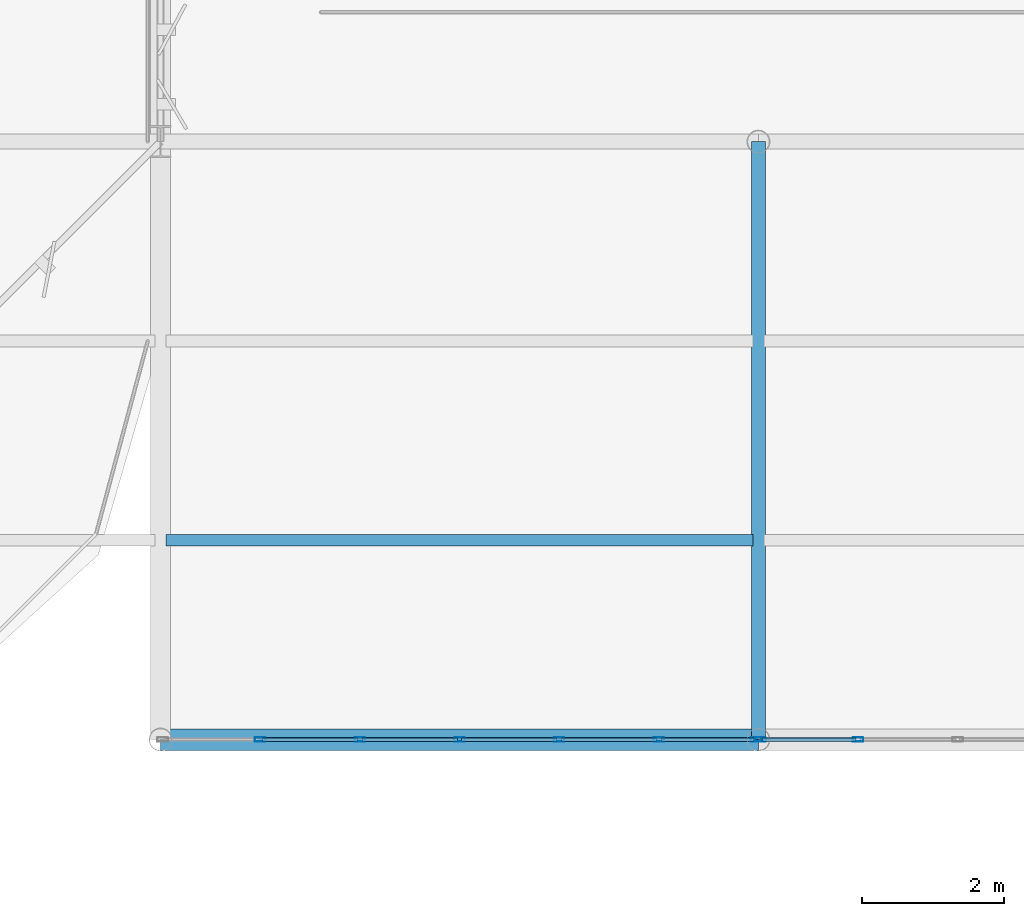
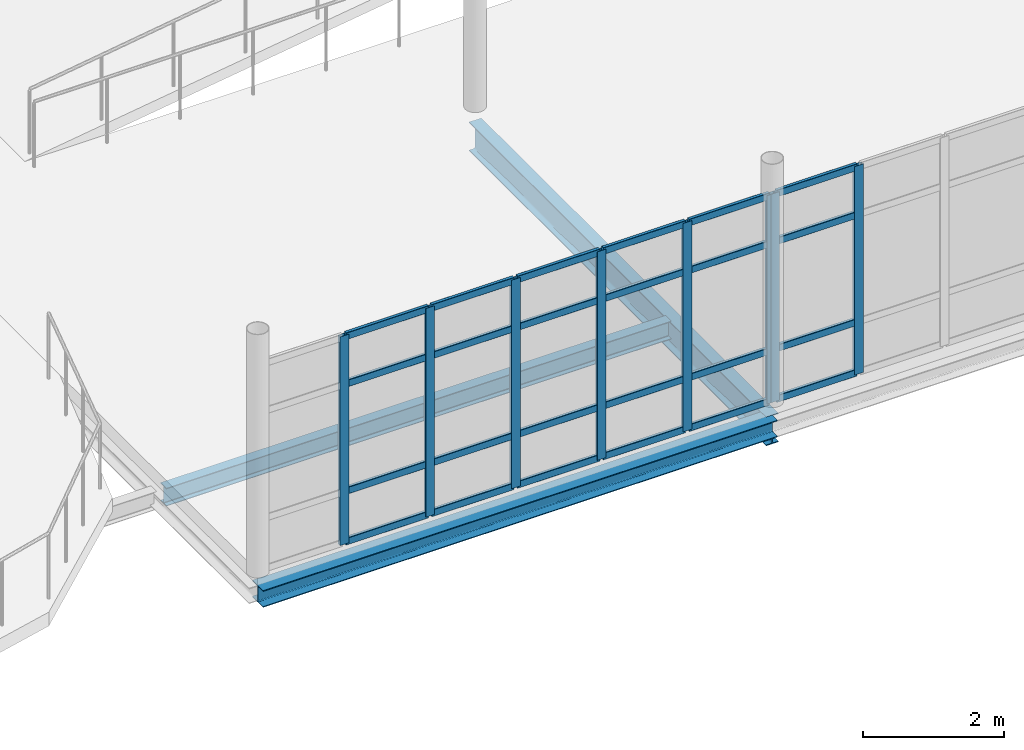
# One storey, part 32 of 69: 32 members, 3 beams, 2 elements without a shape of their own.
"""IFC4 building model written with IfcOpenShell, lengths in metres."""

from ifc_helpers import new_model, si_unit, direction, frame, origin, origin_2d, place, context, subcontext, project, spatial, hollow_rectangle, i_section, extrude, material, layer, layer_set, material_profile, profile_set, type_object, element, aggregate, save


model = new_model("IFC4")

# Units and contexts
model_context = context("Model", 3, precision=1e-05, world=origin(), true_north=direction((0.0, 1.0)))
body_context = subcontext(model_context, "Body", "Model", "MODEL_VIEW")
ifc_project = project(units=[si_unit("LENGTHUNIT", "METRE"), si_unit("AREAUNIT", "SQUARE_METRE"), si_unit("VOLUMEUNIT", "CUBIC_METRE"), si_unit("PLANEANGLEUNIT", "RADIAN"), si_unit("MASSUNIT", "GRAM", prefix="KILO")], contexts=[model_context])

# Site, building, storey
site_placement = place(None, origin())
site = spatial("IfcSite", under=ifc_project, at=site_placement, CompositionType="ELEMENT")
building_placement = place(site_placement, origin())
building = spatial("IfcBuilding", under=site, at=building_placement, Name="Qalvenar Corner Mobility Hub", CompositionType="ELEMENT")
storey_placement = place(building_placement, frame((0.0, 0.0, 13.199951171875)))
storey = spatial("IfcBuildingStorey", under=building, at=storey_placement, Name="L03", CompositionType="ELEMENT", Elevation=13.199951171875)

# Beams
ifc_material_1 = material(Name="Steel S355", Category="steel")
ifc_material_profile_1 = material_profile(ifc_material_1, i_section(OverallWidth=0.199951171875, OverallDepth=0.5, WebThickness=0.01025390625, FlangeThickness=0.01611328125, FilletRadius=0.02099609375, at=origin_2d()), Name="IPE500")
ifc_profile_set_1 = profile_set([ifc_material_profile_1], Name="Steel S355")
beam_type_1 = type_object("IfcBeamType", Name="BM-IPE500", PredefinedType="BEAM", material=ifc_profile_set_1)
beam_1_placement = place(storey_placement, frame((151.199951171875, 67.199951171875, -0.489990234375), z_axis=(0.0, 1.0, 0.0), x_axis=(-1.0, 0.0, 0.0)))
element("IfcBeam", 1, at=beam_1_placement, inside=storey, type_object=beam_type_1, Name="Primary Steel Girder GY-2553", PredefinedType="BEAM", context=body_context, shape_type="SweptSolid", body=[
    extrude(i_section(OverallWidth=0.199951171875, OverallDepth=0.5, WebThickness=0.01025390625, FlangeThickness=0.01611328125, FilletRadius=0.02099609375, at=origin_2d()), origin(), (0.0, 0.0, 1.0), 8.400146484375),
])
ifc_material_profile_2 = material_profile(ifc_material_1, i_section(OverallWidth=0.1650390625, OverallDepth=0.31005859375, WebThickness=0.005859375, FlangeThickness=0.009765625, FilletRadius=0.011962890625, at=origin_2d()), Name="W310x38.7")
ifc_profile_set_2 = profile_set([ifc_material_profile_2], Name="Steel S355")
beam_type_2 = type_object("IfcBeamType", Name="BM-JST310", PredefinedType="JOIST", material=ifc_profile_set_2)
beam_2_placement = place(storey_placement, frame((142.8779296875, 70.0, -0.39501953125), z_axis=(1.0, 0.0, 0.0), x_axis=(0.0, 1.0, 0.0)))
element("IfcBeam", 2, at=beam_2_placement, inside=storey, type_object=beam_type_2, Name="Composite Floor Joist J-2571", PredefinedType="JOIST", context=body_context, shape_type="SweptSolid", body=[
    extrude(i_section(OverallWidth=0.1650390625, OverallDepth=0.31005859375, WebThickness=0.005859375, FlangeThickness=0.009765625, FilletRadius=0.011962890625, at=origin_2d()), origin(), (0.0, 0.0, 1.0), 8.244140625),
])
ifc_material_profile_3 = material_profile(ifc_material_1, i_section(OverallWidth=0.300048828125, OverallDepth=0.2900390625, WebThickness=0.008544921875, FlangeThickness=0.013916015625, FilletRadius=0.027099609375, at=origin_2d()), Name="HEA300")
ifc_profile_set_3 = profile_set([ifc_material_profile_3], Name="Steel S355")
beam_type_3 = type_object("IfcBeamType", Name="BM-SPN300", PredefinedType="SPANDREL", material=ifc_profile_set_3)
beam_3_placement = place(storey_placement, frame((142.800048828125, 67.199951171875, -0.385009765625), z_axis=(1.0, 0.0, 0.0), x_axis=(0.0, 1.0, 0.0)))
element("IfcBeam", 3, at=beam_3_placement, inside=storey, type_object=beam_type_3, Name="Primary Steel Girder GX-2535", PredefinedType="SPANDREL", context=body_context, shape_type="SweptSolid", body=[
    extrude(i_section(OverallWidth=0.300048828125, OverallDepth=0.2900390625, WebThickness=0.008544921875, FlangeThickness=0.013916015625, FilletRadius=0.027099609375, at=origin_2d()), origin(), (0.0, 0.0, 1.0), 8.39990234375),
])

# Curtain wall, members
ifc_material_2 = material(Name="Anodised Aluminium and Low-E Glazing", Category="aluminium")
ifc_layer = layer(ifc_material_2, 0.1201171875)
ifc_layer_set = layer_set([ifc_layer], Name="Anodised Aluminium and Low-E Glazing")
curtain_wall_type = type_object("IfcCurtainWallType", Name="CW-STR-42X40", PredefinedType="NOTDEFINED", material=ifc_layer_set)
curtain_wall_1_placement = place(storey_placement, origin())
curtain_wall_1 = element("IfcCurtainWall", 4, at=curtain_wall_1_placement, inside=storey, type_object=curtain_wall_type, Name="Glazed Curtain Wall CW-V2-L03-S0", PredefinedType="NOTDEFINED")
ifc_material_3 = material(Name="Anodised Aluminium 6063-T6", Category="aluminium")
ifc_material_profile_4 = material_profile(ifc_material_3, hollow_rectangle(XDim=0.06005859375, YDim=0.14990234375, WallThickness=0.00390625, InnerFilletRadius=0.00390625, OuterFilletRadius=0.008056640625, at=origin_2d()), Name="RHS150x60x4")
ifc_profile_set_4 = profile_set([ifc_material_profile_4], Name="Anodised Aluminium 6063-T6")
member_type_1 = type_object("IfcMemberType", Name="CW-MUL150", PredefinedType="MULLION", material=ifc_profile_set_4)
member_1_placement = place(storey_placement, frame((144.199951171875, 67.199951171875, 0.0), z_axis=(0.0, 0.0, 1.0), x_axis=(0.0, 1.0, 0.0)))
member_1 = element("IfcMember", 5, at=member_1_placement, type_object=member_type_1, Name="CW-10 mullion 2", PredefinedType="MULLION", context=body_context, shape_type="SweptSolid", body=[
    extrude(hollow_rectangle(XDim=0.06005859375, YDim=0.14990234375, WallThickness=0.00390625, InnerFilletRadius=0.00390625, OuterFilletRadius=0.008056640625, at=origin_2d()), origin(), (0.0, 0.0, 1.0), 3.60009765625),
])
member_2_placement = place(storey_placement, frame((145.60009765625, 67.199951171875, 0.0), z_axis=(0.0, 0.0, 1.0), x_axis=(0.0, 1.0, 0.0)))
member_2 = element("IfcMember", 6, at=member_2_placement, type_object=member_type_1, Name="CW-10 mullion 3", PredefinedType="MULLION", context=body_context, shape_type="SweptSolid", body=[
    extrude(hollow_rectangle(XDim=0.06005859375, YDim=0.14990234375, WallThickness=0.00390625, InnerFilletRadius=0.00390625, OuterFilletRadius=0.008056640625, at=origin_2d()), origin(), (0.0, 0.0, 1.0), 3.60009765625),
])
member_3_placement = place(storey_placement, frame((147.0, 67.199951171875, 0.0), z_axis=(0.0, 0.0, 1.0), x_axis=(0.0, 1.0, 0.0)))
member_3 = element("IfcMember", 7, at=member_3_placement, type_object=member_type_1, Name="CW-10 mullion 4", PredefinedType="MULLION", context=body_context, shape_type="SweptSolid", body=[
    extrude(hollow_rectangle(XDim=0.06005859375, YDim=0.14990234375, WallThickness=0.00390625, InnerFilletRadius=0.00390625, OuterFilletRadius=0.008056640625, at=origin_2d()), origin(), (0.0, 0.0, 1.0), 3.60009765625),
])
member_4_placement = place(storey_placement, frame((148.39990234375, 67.199951171875, 0.0), z_axis=(0.0, 0.0, 1.0), x_axis=(0.0, 1.0, 0.0)))
member_4 = element("IfcMember", 8, at=member_4_placement, type_object=member_type_1, Name="CW-10 mullion 5", PredefinedType="MULLION", context=body_context, shape_type="SweptSolid", body=[
    extrude(hollow_rectangle(XDim=0.06005859375, YDim=0.14990234375, WallThickness=0.00390625, InnerFilletRadius=0.00390625, OuterFilletRadius=0.008056640625, at=origin_2d()), origin(), (0.0, 0.0, 1.0), 3.60009765625),
])
member_5_placement = place(storey_placement, frame((149.800048828125, 67.199951171875, 0.0), z_axis=(0.0, 0.0, 1.0), x_axis=(0.0, 1.0, 0.0)))
member_5 = element("IfcMember", 9, at=member_5_placement, type_object=member_type_1, Name="CW-10 mullion 6", PredefinedType="MULLION", context=body_context, shape_type="SweptSolid", body=[
    extrude(hollow_rectangle(XDim=0.06005859375, YDim=0.14990234375, WallThickness=0.00390625, InnerFilletRadius=0.00390625, OuterFilletRadius=0.008056640625, at=origin_2d()), origin(), (0.0, 0.0, 1.0), 3.60009765625),
])
member_6_placement = place(storey_placement, frame((151.169921875, 67.199951171875, 0.0), z_axis=(0.0, 0.0, 1.0), x_axis=(0.0, 1.0, 0.0)))
member_6 = element("IfcMember", 10, at=member_6_placement, type_object=member_type_1, Name="CW-10 mullion 7", PredefinedType="MULLION", context=body_context, shape_type="SweptSolid", body=[
    extrude(hollow_rectangle(XDim=0.06005859375, YDim=0.14990234375, WallThickness=0.00390625, InnerFilletRadius=0.00390625, OuterFilletRadius=0.008056640625, at=origin_2d()), origin(), (0.0, 0.0, 1.0), 3.60009765625),
])

curtain_wall_2_placement = place(storey_placement, origin())
curtain_wall_2 = element("IfcCurtainWall", 11, at=curtain_wall_2_placement, inside=storey, type_object=curtain_wall_type, Name="Glazed Curtain Wall CW-V2-L03-S1", PredefinedType="NOTDEFINED")
member_7_placement = place(storey_placement, frame((151.22998046875, 67.199951171875, 0.0), z_axis=(0.0, 0.0, 1.0), x_axis=(0.0, 1.0, 0.0)))
member_7 = element("IfcMember", 12, at=member_7_placement, type_object=member_type_1, Name="CW-10 mullion 1", PredefinedType="MULLION", context=body_context, shape_type="SweptSolid", body=[
    extrude(hollow_rectangle(XDim=0.06005859375, YDim=0.14990234375, WallThickness=0.00390625, InnerFilletRadius=0.00390625, OuterFilletRadius=0.008056640625, at=origin_2d()), origin(), (0.0, 0.0, 1.0), 3.60009765625),
])
member_8_placement = place(storey_placement, frame((152.60009765625, 67.199951171875, 0.0), z_axis=(0.0, 0.0, 1.0), x_axis=(0.0, 1.0, 0.0)))
member_8 = element("IfcMember", 13, at=member_8_placement, type_object=member_type_1, Name="CW-10 mullion 2", PredefinedType="MULLION", context=body_context, shape_type="SweptSolid", body=[
    extrude(hollow_rectangle(XDim=0.06005859375, YDim=0.14990234375, WallThickness=0.00390625, InnerFilletRadius=0.00390625, OuterFilletRadius=0.008056640625, at=origin_2d()), origin(), (0.0, 0.0, 1.0), 3.60009765625),
])

# Member
ifc_material_profile_5 = material_profile(ifc_material_3, hollow_rectangle(XDim=0.054931640625, YDim=0.1201171875, WallThickness=0.00341796875, InnerFilletRadius=0.00341796875, OuterFilletRadius=0.007080078125, at=origin_2d()), Name="RHS120x55x3.5")
ifc_profile_set_5 = profile_set([ifc_material_profile_5], Name="Anodised Aluminium 6063-T6")
member_type_2 = type_object("IfcMemberType", Name="CW-TRN120", PredefinedType="USERDEFINED", material=ifc_profile_set_5)
member_9_placement = place(storey_placement, frame((144.22998046875, 67.199951171875, 0.027587890625), z_axis=(1.0, 0.0, 0.0), x_axis=(0.0, 1.0, 0.0)))
member_9 = element("IfcMember", 14, at=member_9_placement, type_object=member_type_2, Name="CW-10 transom 2.1", ObjectType="TRANSOM", PredefinedType="USERDEFINED", context=body_context, shape_type="SweptSolid", body=[
    extrude(hollow_rectangle(XDim=0.054931640625, YDim=0.1201171875, WallThickness=0.00341796875, InnerFilletRadius=0.00341796875, OuterFilletRadius=0.007080078125, at=origin_2d()), origin(), (0.0, 0.0, 1.0), 1.340087890625),
])

member_10_placement = place(storey_placement, frame((144.22998046875, 67.199951171875, 0.900146484375), z_axis=(1.0, 0.0, 0.0), x_axis=(0.0, 1.0, 0.0)))
member_10 = element("IfcMember", 15, at=member_10_placement, type_object=member_type_2, Name="CW-10 transom 2.2", ObjectType="TRANSOM", PredefinedType="USERDEFINED", context=body_context, shape_type="SweptSolid", body=[
    extrude(hollow_rectangle(XDim=0.054931640625, YDim=0.1201171875, WallThickness=0.00341796875, InnerFilletRadius=0.00341796875, OuterFilletRadius=0.007080078125, at=origin_2d()), origin(), (0.0, 0.0, 1.0), 1.340087890625),
])

member_11_placement = place(storey_placement, frame((144.22998046875, 67.199951171875, 2.75), z_axis=(1.0, 0.0, 0.0), x_axis=(0.0, 1.0, 0.0)))
member_11 = element("IfcMember", 16, at=member_11_placement, type_object=member_type_2, Name="CW-10 transom 2.3", ObjectType="TRANSOM", PredefinedType="USERDEFINED", context=body_context, shape_type="SweptSolid", body=[
    extrude(hollow_rectangle(XDim=0.054931640625, YDim=0.1201171875, WallThickness=0.00341796875, InnerFilletRadius=0.00341796875, OuterFilletRadius=0.007080078125, at=origin_2d()), origin(), (0.0, 0.0, 1.0), 1.340087890625),
])

member_12_placement = place(storey_placement, frame((144.22998046875, 67.199951171875, 3.572509765625), z_axis=(1.0, 0.0, 0.0), x_axis=(0.0, 1.0, 0.0)))
member_12 = element("IfcMember", 17, at=member_12_placement, type_object=member_type_2, Name="CW-10 transom 2.4", ObjectType="TRANSOM", PredefinedType="USERDEFINED", context=body_context, shape_type="SweptSolid", body=[
    extrude(hollow_rectangle(XDim=0.054931640625, YDim=0.1201171875, WallThickness=0.00341796875, InnerFilletRadius=0.00341796875, OuterFilletRadius=0.007080078125, at=origin_2d()), origin(), (0.0, 0.0, 1.0), 1.340087890625),
])

member_13_placement = place(storey_placement, frame((145.6298828125, 67.199951171875, 0.027587890625), z_axis=(1.0, 0.0, 0.0), x_axis=(0.0, 1.0, 0.0)))
member_13 = element("IfcMember", 18, at=member_13_placement, type_object=member_type_2, Name="CW-10 transom 3.1", ObjectType="TRANSOM", PredefinedType="USERDEFINED", context=body_context, shape_type="SweptSolid", body=[
    extrude(hollow_rectangle(XDim=0.054931640625, YDim=0.1201171875, WallThickness=0.00341796875, InnerFilletRadius=0.00341796875, OuterFilletRadius=0.007080078125, at=origin_2d()), origin(), (0.0, 0.0, 1.0), 1.340087890625),
])

member_14_placement = place(storey_placement, frame((145.6298828125, 67.199951171875, 0.900146484375), z_axis=(1.0, 0.0, 0.0), x_axis=(0.0, 1.0, 0.0)))
member_14 = element("IfcMember", 19, at=member_14_placement, type_object=member_type_2, Name="CW-10 transom 3.2", ObjectType="TRANSOM", PredefinedType="USERDEFINED", context=body_context, shape_type="SweptSolid", body=[
    extrude(hollow_rectangle(XDim=0.054931640625, YDim=0.1201171875, WallThickness=0.00341796875, InnerFilletRadius=0.00341796875, OuterFilletRadius=0.007080078125, at=origin_2d()), origin(), (0.0, 0.0, 1.0), 1.340087890625),
])

member_15_placement = place(storey_placement, frame((145.6298828125, 67.199951171875, 2.75), z_axis=(1.0, 0.0, 0.0), x_axis=(0.0, 1.0, 0.0)))
member_15 = element("IfcMember", 20, at=member_15_placement, type_object=member_type_2, Name="CW-10 transom 3.3", ObjectType="TRANSOM", PredefinedType="USERDEFINED", context=body_context, shape_type="SweptSolid", body=[
    extrude(hollow_rectangle(XDim=0.054931640625, YDim=0.1201171875, WallThickness=0.00341796875, InnerFilletRadius=0.00341796875, OuterFilletRadius=0.007080078125, at=origin_2d()), origin(), (0.0, 0.0, 1.0), 1.340087890625),
])

member_16_placement = place(storey_placement, frame((145.6298828125, 67.199951171875, 3.572509765625), z_axis=(1.0, 0.0, 0.0), x_axis=(0.0, 1.0, 0.0)))
member_16 = element("IfcMember", 21, at=member_16_placement, type_object=member_type_2, Name="CW-10 transom 3.4", ObjectType="TRANSOM", PredefinedType="USERDEFINED", context=body_context, shape_type="SweptSolid", body=[
    extrude(hollow_rectangle(XDim=0.054931640625, YDim=0.1201171875, WallThickness=0.00341796875, InnerFilletRadius=0.00341796875, OuterFilletRadius=0.007080078125, at=origin_2d()), origin(), (0.0, 0.0, 1.0), 1.340087890625),
])

member_17_placement = place(storey_placement, frame((147.030029296875, 67.199951171875, 0.027587890625), z_axis=(1.0, 0.0, 0.0), x_axis=(0.0, 1.0, 0.0)))
member_17 = element("IfcMember", 22, at=member_17_placement, type_object=member_type_2, Name="CW-10 transom 4.1", ObjectType="TRANSOM", PredefinedType="USERDEFINED", context=body_context, shape_type="SweptSolid", body=[
    extrude(hollow_rectangle(XDim=0.054931640625, YDim=0.1201171875, WallThickness=0.00341796875, InnerFilletRadius=0.00341796875, OuterFilletRadius=0.007080078125, at=origin_2d()), origin(), (0.0, 0.0, 1.0), 1.340087890625),
])

member_18_placement = place(storey_placement, frame((147.030029296875, 67.199951171875, 0.900146484375), z_axis=(1.0, 0.0, 0.0), x_axis=(0.0, 1.0, 0.0)))
member_18 = element("IfcMember", 23, at=member_18_placement, type_object=member_type_2, Name="CW-10 transom 4.2", ObjectType="TRANSOM", PredefinedType="USERDEFINED", context=body_context, shape_type="SweptSolid", body=[
    extrude(hollow_rectangle(XDim=0.054931640625, YDim=0.1201171875, WallThickness=0.00341796875, InnerFilletRadius=0.00341796875, OuterFilletRadius=0.007080078125, at=origin_2d()), origin(), (0.0, 0.0, 1.0), 1.340087890625),
])

member_19_placement = place(storey_placement, frame((147.030029296875, 67.199951171875, 2.75), z_axis=(1.0, 0.0, 0.0), x_axis=(0.0, 1.0, 0.0)))
member_19 = element("IfcMember", 24, at=member_19_placement, type_object=member_type_2, Name="CW-10 transom 4.3", ObjectType="TRANSOM", PredefinedType="USERDEFINED", context=body_context, shape_type="SweptSolid", body=[
    extrude(hollow_rectangle(XDim=0.054931640625, YDim=0.1201171875, WallThickness=0.00341796875, InnerFilletRadius=0.00341796875, OuterFilletRadius=0.007080078125, at=origin_2d()), origin(), (0.0, 0.0, 1.0), 1.340087890625),
])

member_20_placement = place(storey_placement, frame((147.030029296875, 67.199951171875, 3.572509765625), z_axis=(1.0, 0.0, 0.0), x_axis=(0.0, 1.0, 0.0)))
member_20 = element("IfcMember", 25, at=member_20_placement, type_object=member_type_2, Name="CW-10 transom 4.4", ObjectType="TRANSOM", PredefinedType="USERDEFINED", context=body_context, shape_type="SweptSolid", body=[
    extrude(hollow_rectangle(XDim=0.054931640625, YDim=0.1201171875, WallThickness=0.00341796875, InnerFilletRadius=0.00341796875, OuterFilletRadius=0.007080078125, at=origin_2d()), origin(), (0.0, 0.0, 1.0), 1.340087890625),
])

member_21_placement = place(storey_placement, frame((148.429931640625, 67.199951171875, 0.027587890625), z_axis=(1.0, 0.0, 0.0), x_axis=(0.0, 1.0, 0.0)))
member_21 = element("IfcMember", 26, at=member_21_placement, type_object=member_type_2, Name="CW-10 transom 5.1", ObjectType="TRANSOM", PredefinedType="USERDEFINED", context=body_context, shape_type="SweptSolid", body=[
    extrude(hollow_rectangle(XDim=0.054931640625, YDim=0.1201171875, WallThickness=0.00341796875, InnerFilletRadius=0.00341796875, OuterFilletRadius=0.007080078125, at=origin_2d()), origin(), (0.0, 0.0, 1.0), 1.340087890625),
])

member_22_placement = place(storey_placement, frame((148.429931640625, 67.199951171875, 0.900146484375), z_axis=(1.0, 0.0, 0.0), x_axis=(0.0, 1.0, 0.0)))
member_22 = element("IfcMember", 27, at=member_22_placement, type_object=member_type_2, Name="CW-10 transom 5.2", ObjectType="TRANSOM", PredefinedType="USERDEFINED", context=body_context, shape_type="SweptSolid", body=[
    extrude(hollow_rectangle(XDim=0.054931640625, YDim=0.1201171875, WallThickness=0.00341796875, InnerFilletRadius=0.00341796875, OuterFilletRadius=0.007080078125, at=origin_2d()), origin(), (0.0, 0.0, 1.0), 1.340087890625),
])

member_23_placement = place(storey_placement, frame((148.429931640625, 67.199951171875, 2.75), z_axis=(1.0, 0.0, 0.0), x_axis=(0.0, 1.0, 0.0)))
member_23 = element("IfcMember", 28, at=member_23_placement, type_object=member_type_2, Name="CW-10 transom 5.3", ObjectType="TRANSOM", PredefinedType="USERDEFINED", context=body_context, shape_type="SweptSolid", body=[
    extrude(hollow_rectangle(XDim=0.054931640625, YDim=0.1201171875, WallThickness=0.00341796875, InnerFilletRadius=0.00341796875, OuterFilletRadius=0.007080078125, at=origin_2d()), origin(), (0.0, 0.0, 1.0), 1.340087890625),
])

member_24_placement = place(storey_placement, frame((148.429931640625, 67.199951171875, 3.572509765625), z_axis=(1.0, 0.0, 0.0), x_axis=(0.0, 1.0, 0.0)))
member_24 = element("IfcMember", 29, at=member_24_placement, type_object=member_type_2, Name="CW-10 transom 5.4", ObjectType="TRANSOM", PredefinedType="USERDEFINED", context=body_context, shape_type="SweptSolid", body=[
    extrude(hollow_rectangle(XDim=0.054931640625, YDim=0.1201171875, WallThickness=0.00341796875, InnerFilletRadius=0.00341796875, OuterFilletRadius=0.007080078125, at=origin_2d()), origin(), (0.0, 0.0, 1.0), 1.340087890625),
])

member_25_placement = place(storey_placement, frame((149.830078125, 67.199951171875, 0.027587890625), z_axis=(1.0, 0.0, 0.0), x_axis=(0.0, 1.0, 0.0)))
member_25 = element("IfcMember", 30, at=member_25_placement, type_object=member_type_2, Name="CW-10 transom 6.1", ObjectType="TRANSOM", PredefinedType="USERDEFINED", context=body_context, shape_type="SweptSolid", body=[
    extrude(hollow_rectangle(XDim=0.054931640625, YDim=0.1201171875, WallThickness=0.00341796875, InnerFilletRadius=0.00341796875, OuterFilletRadius=0.007080078125, at=origin_2d()), origin(), (0.0, 0.0, 1.0), 1.309814453125),
])

member_26_placement = place(storey_placement, frame((149.830078125, 67.199951171875, 0.900146484375), z_axis=(1.0, 0.0, 0.0), x_axis=(0.0, 1.0, 0.0)))
member_26 = element("IfcMember", 31, at=member_26_placement, type_object=member_type_2, Name="CW-10 transom 6.2", ObjectType="TRANSOM", PredefinedType="USERDEFINED", context=body_context, shape_type="SweptSolid", body=[
    extrude(hollow_rectangle(XDim=0.054931640625, YDim=0.1201171875, WallThickness=0.00341796875, InnerFilletRadius=0.00341796875, OuterFilletRadius=0.007080078125, at=origin_2d()), origin(), (0.0, 0.0, 1.0), 1.309814453125),
])

member_27_placement = place(storey_placement, frame((149.830078125, 67.199951171875, 2.75), z_axis=(1.0, 0.0, 0.0), x_axis=(0.0, 1.0, 0.0)))
member_27 = element("IfcMember", 32, at=member_27_placement, type_object=member_type_2, Name="CW-10 transom 6.3", ObjectType="TRANSOM", PredefinedType="USERDEFINED", context=body_context, shape_type="SweptSolid", body=[
    extrude(hollow_rectangle(XDim=0.054931640625, YDim=0.1201171875, WallThickness=0.00341796875, InnerFilletRadius=0.00341796875, OuterFilletRadius=0.007080078125, at=origin_2d()), origin(), (0.0, 0.0, 1.0), 1.309814453125),
])

member_28_placement = place(storey_placement, frame((149.830078125, 67.199951171875, 3.572509765625), z_axis=(1.0, 0.0, 0.0), x_axis=(0.0, 1.0, 0.0)))
member_28 = element("IfcMember", 33, at=member_28_placement, type_object=member_type_2, Name="CW-10 transom 6.4", ObjectType="TRANSOM", PredefinedType="USERDEFINED", context=body_context, shape_type="SweptSolid", body=[
    extrude(hollow_rectangle(XDim=0.054931640625, YDim=0.1201171875, WallThickness=0.00341796875, InnerFilletRadius=0.00341796875, OuterFilletRadius=0.007080078125, at=origin_2d()), origin(), (0.0, 0.0, 1.0), 1.309814453125),
])

aggregate(curtain_wall_1, [member_1, member_2, member_3, member_4, member_5, member_6, member_9, member_10, member_11, member_12, member_13, member_14, member_15, member_16, member_17, member_18, member_19, member_20, member_21, member_22, member_23, member_24, member_25, member_26, member_27, member_28])

member_29_placement = place(storey_placement, frame((151.260009765625, 67.199951171875, 0.027587890625), z_axis=(1.0, 0.0, 0.0), x_axis=(0.0, 1.0, 0.0)))
member_29 = element("IfcMember", 34, at=member_29_placement, type_object=member_type_2, Name="CW-10 transom 1.1", ObjectType="TRANSOM", PredefinedType="USERDEFINED", context=body_context, shape_type="SweptSolid", body=[
    extrude(hollow_rectangle(XDim=0.054931640625, YDim=0.1201171875, WallThickness=0.00341796875, InnerFilletRadius=0.00341796875, OuterFilletRadius=0.007080078125, at=origin_2d()), origin(), (0.0, 0.0, 1.0), 1.31005859375),
])

member_30_placement = place(storey_placement, frame((151.260009765625, 67.199951171875, 0.900146484375), z_axis=(1.0, 0.0, 0.0), x_axis=(0.0, 1.0, 0.0)))
member_30 = element("IfcMember", 35, at=member_30_placement, type_object=member_type_2, Name="CW-10 transom 1.2", ObjectType="TRANSOM", PredefinedType="USERDEFINED", context=body_context, shape_type="SweptSolid", body=[
    extrude(hollow_rectangle(XDim=0.054931640625, YDim=0.1201171875, WallThickness=0.00341796875, InnerFilletRadius=0.00341796875, OuterFilletRadius=0.007080078125, at=origin_2d()), origin(), (0.0, 0.0, 1.0), 1.31005859375),
])

member_31_placement = place(storey_placement, frame((151.260009765625, 67.199951171875, 2.75), z_axis=(1.0, 0.0, 0.0), x_axis=(0.0, 1.0, 0.0)))
member_31 = element("IfcMember", 36, at=member_31_placement, type_object=member_type_2, Name="CW-10 transom 1.3", ObjectType="TRANSOM", PredefinedType="USERDEFINED", context=body_context, shape_type="SweptSolid", body=[
    extrude(hollow_rectangle(XDim=0.054931640625, YDim=0.1201171875, WallThickness=0.00341796875, InnerFilletRadius=0.00341796875, OuterFilletRadius=0.007080078125, at=origin_2d()), origin(), (0.0, 0.0, 1.0), 1.31005859375),
])

member_32_placement = place(storey_placement, frame((151.260009765625, 67.199951171875, 3.572509765625), z_axis=(1.0, 0.0, 0.0), x_axis=(0.0, 1.0, 0.0)))
member_32 = element("IfcMember", 37, at=member_32_placement, type_object=member_type_2, Name="CW-10 transom 1.4", ObjectType="TRANSOM", PredefinedType="USERDEFINED", context=body_context, shape_type="SweptSolid", body=[
    extrude(hollow_rectangle(XDim=0.054931640625, YDim=0.1201171875, WallThickness=0.00341796875, InnerFilletRadius=0.00341796875, OuterFilletRadius=0.007080078125, at=origin_2d()), origin(), (0.0, 0.0, 1.0), 1.31005859375),
])

aggregate(curtain_wall_2, [member_7, member_8, member_29, member_30, member_31, member_32])

save(model, "model.ifc")
